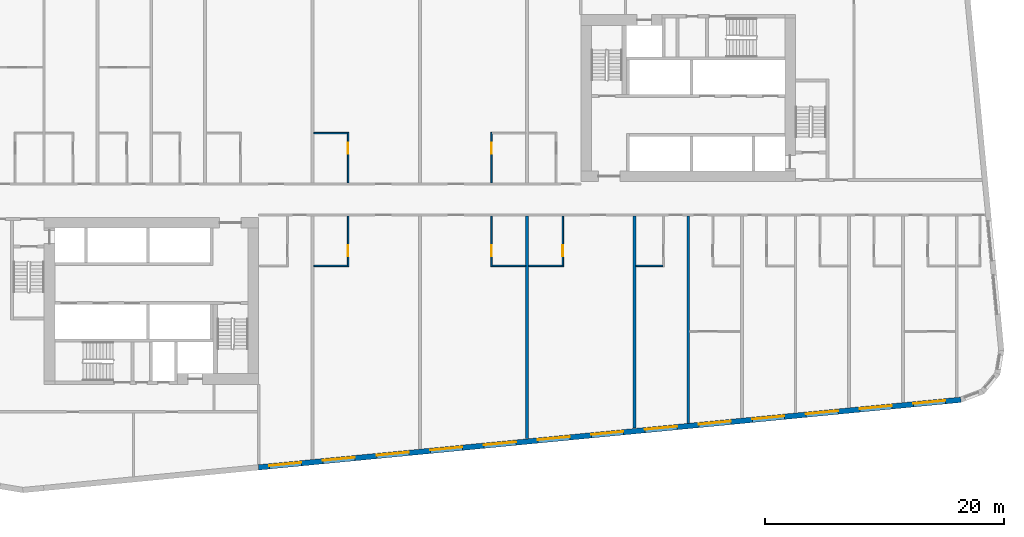
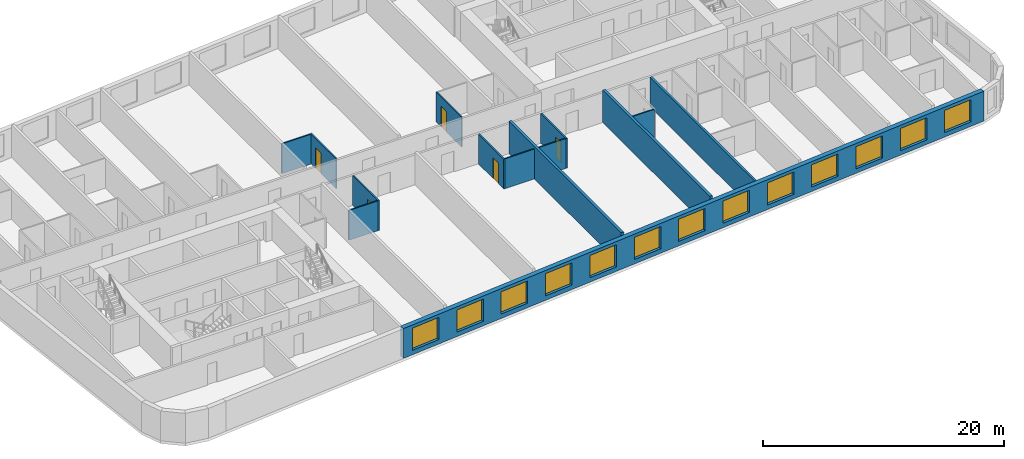
# One storey, part 4 of 12: 14 walls, 13 windows, 5 doors, 18 openings.
"""IFC4 building model written with IfcOpenShell, lengths in metres."""

from ifc_helpers import new_model, si_unit, direction, frame, frame_2d, origin, place, context, subcontext, project, spatial, rectangle, extrude, material, layer, layer_set, type_object, element, fill, save


model = new_model("IFC4")

# Units and contexts
model_context = context("Model", 3, precision=1e-05, world=origin(), true_north=direction((0.0, 1.0)))
body_context = subcontext(model_context, "Body", "Model", "MODEL_VIEW")
ifc_project = project(units=[si_unit("LENGTHUNIT", "METRE"), si_unit("AREAUNIT", "SQUARE_METRE"), si_unit("VOLUMEUNIT", "CUBIC_METRE"), si_unit("PLANEANGLEUNIT", "RADIAN"), si_unit("MASSUNIT", "GRAM", prefix="KILO")], contexts=[model_context])

# Site, building, storey
site_placement = place(None, origin())
site = spatial("IfcSite", under=ifc_project, at=site_placement, CompositionType="ELEMENT")
building_placement = place(site_placement, origin())
building = spatial("IfcBuilding", under=site, at=building_placement, Name="Kajstack Hotel Tower", CompositionType="ELEMENT")
storey_placement = place(building_placement, frame((0.0, 0.0, 124.0)))
storey = spatial("IfcBuildingStorey", under=building, at=storey_placement, Name="L27", CompositionType="ELEMENT", Elevation=124.0)

# Wall
ifc_material_1 = material(Name="Twin-frame gypsum board on steel studs, mineral wool", Category="steel")
ifc_layer_1 = layer(ifc_material_1, 0.199951171875)
ifc_layer_set_1 = layer_set([ifc_layer_1], Name="Demising wall 200")
wall_type_1 = type_object("IfcWallType", Name="Demising wall 200", PredefinedType="PARTITIONING", material=ifc_layer_set_1)
wall_1_placement = place(storey_placement, frame((22.5, -18.76611328125, 0.0), z_axis=(0.0, 0.0, 1.0), x_axis=(0.0, 1.0, 0.0)))
element("IfcWall", 1, at=wall_1_placement, inside=storey, type_object=wall_type_1, Name="G-wall-L27-035", PredefinedType="PARTITIONING", context=body_context, shape_type="SweptSolid", body=[
    extrude(rectangle(XDim=17.3662109375, YDim=0.199951171875, at=frame_2d((8.68310546875, 0.0))), origin(), (0.0, 0.0, 1.0), 3.02001953125),
])

# Wall, openings, windows
ifc_material_2 = material(Name="Terracotta-faced brick masonry", Category="masonry")
ifc_layer_2 = layer(ifc_material_2, 0.449951171875)
ifc_layer_set_2 = layer_set([ifc_layer_2], Name="EW-TERRA")
wall_type_2 = type_object("IfcWallType", Name="EW-TERRA", PredefinedType="SOLIDWALL", material=ifc_layer_set_2)
wall_2_placement = place(storey_placement, frame((-13.521484375, -22.46044921875, 0.0), z_axis=(0.0, 0.0, 1.0), x_axis=(0.995396096335, 0.095846812164, 0.0)))
wall_2 = element("IfcWall", 2, at=wall_2_placement, inside=storey, type_object=wall_type_2, Name="E-wall-L27-04-02", PredefinedType="SOLIDWALL", context=body_context, shape_type="SweptSolid", body=[
    extrude(rectangle(XDim=59.15087890625, YDim=0.449951171875, at=frame_2d((29.575439453125, 0.0))), origin(), (0.0, 0.0, 1.0), 3.02001953125),
])
opening_1_placement = place(wall_2_placement, frame((0.910400390625, 0.0, 0.449951171875)))
opening_1 = element("IfcOpeningElement", 3, at=opening_1_placement, cuts=wall_2, Name="Opening W1", PredefinedType="OPENING", context=body_context, shape_type="SweptSolid", body=[
    extrude(rectangle(XDim=2.699951171875, YDim=2.25, at=frame_2d((1.35009765625, 1.125))), frame((0.0, 0.23486328125, 0.0), z_axis=(0.0, -1.0, 0.0), x_axis=(1.0, 0.0, 0.0)), (0.0, 0.0, 1.0), 0.469970703125),
])
opening_2_placement = place(wall_2_placement, frame((5.43115234375, 0.0, 0.449951171875)))
opening_2 = element("IfcOpeningElement", 4, at=opening_2_placement, cuts=wall_2, Name="Opening W1", PredefinedType="OPENING", context=body_context, shape_type="SweptSolid", body=[
    extrude(rectangle(XDim=2.699951171875, YDim=2.25, at=frame_2d((1.35009765625, 1.125))), frame((0.0, 0.23486328125, 0.0), z_axis=(0.0, -1.0, 0.0), x_axis=(1.0, 0.0, 0.0)), (0.0, 0.0, 1.0), 0.469970703125),
])
opening_3_placement = place(wall_2_placement, frame((9.951904296875, 0.0, 0.449951171875)))
opening_3 = element("IfcOpeningElement", 5, at=opening_3_placement, cuts=wall_2, Name="Opening W1", PredefinedType="OPENING", context=body_context, shape_type="SweptSolid", body=[
    extrude(rectangle(XDim=2.699951171875, YDim=2.25, at=frame_2d((1.35009765625, 1.125))), frame((0.0, 0.23486328125, 0.0), z_axis=(0.0, -1.0, 0.0), x_axis=(1.0, 0.0, 0.0)), (0.0, 0.0, 1.0), 0.469970703125),
])
opening_4_placement = place(wall_2_placement, frame((14.472900390625, 0.0, 0.449951171875)))
opening_4 = element("IfcOpeningElement", 6, at=opening_4_placement, cuts=wall_2, Name="Opening W1", PredefinedType="OPENING", context=body_context, shape_type="SweptSolid", body=[
    extrude(rectangle(XDim=2.699951171875, YDim=2.25, at=frame_2d((1.35009765625, 1.125))), frame((0.0, 0.23486328125, 0.0), z_axis=(0.0, -1.0, 0.0), x_axis=(1.0, 0.0, 0.0)), (0.0, 0.0, 1.0), 0.469970703125),
])
opening_5_placement = place(wall_2_placement, frame((18.99365234375, 0.0, 0.449951171875)))
opening_5 = element("IfcOpeningElement", 7, at=opening_5_placement, cuts=wall_2, Name="Opening W1", PredefinedType="OPENING", context=body_context, shape_type="SweptSolid", body=[
    extrude(rectangle(XDim=2.699951171875, YDim=2.25, at=frame_2d((1.35009765625, 1.125))), frame((0.0, 0.23486328125, 0.0), z_axis=(0.0, -1.0, 0.0), x_axis=(1.0, 0.0, 0.0)), (0.0, 0.0, 1.0), 0.469970703125),
])
opening_6_placement = place(wall_2_placement, frame((23.514404296875, 0.0, 0.449951171875)))
opening_6 = element("IfcOpeningElement", 8, at=opening_6_placement, cuts=wall_2, Name="Opening W1", PredefinedType="OPENING", context=body_context, shape_type="SweptSolid", body=[
    extrude(rectangle(XDim=2.699951171875, YDim=2.25, at=frame_2d((1.35009765625, 1.125))), frame((0.0, 0.23486328125, 0.0), z_axis=(0.0, -1.0, 0.0), x_axis=(1.0, 0.0, 0.0)), (0.0, 0.0, 1.0), 0.469970703125),
])
opening_7_placement = place(wall_2_placement, frame((28.035400390625, 0.0, 0.449951171875)))
opening_7 = element("IfcOpeningElement", 9, at=opening_7_placement, cuts=wall_2, Name="Opening W1", PredefinedType="OPENING", context=body_context, shape_type="SweptSolid", body=[
    extrude(rectangle(XDim=2.699951171875, YDim=2.25, at=frame_2d((1.35009765625, 1.125))), frame((0.0, 0.23486328125, 0.0), z_axis=(0.0, -1.0, 0.0), x_axis=(1.0, 0.0, 0.0)), (0.0, 0.0, 1.0), 0.469970703125),
])
opening_8_placement = place(wall_2_placement, frame((32.55615234375, 0.0, 0.449951171875)))
opening_8 = element("IfcOpeningElement", 10, at=opening_8_placement, cuts=wall_2, Name="Opening W1", PredefinedType="OPENING", context=body_context, shape_type="SweptSolid", body=[
    extrude(rectangle(XDim=2.699951171875, YDim=2.25, at=frame_2d((1.35009765625, 1.125))), frame((0.0, 0.23486328125, 0.0), z_axis=(0.0, -1.0, 0.0), x_axis=(1.0, 0.0, 0.0)), (0.0, 0.0, 1.0), 0.469970703125),
])
opening_9_placement = place(wall_2_placement, frame((37.076904296875, 0.0, 0.449951171875)))
opening_9 = element("IfcOpeningElement", 11, at=opening_9_placement, cuts=wall_2, Name="Opening W1", PredefinedType="OPENING", context=body_context, shape_type="SweptSolid", body=[
    extrude(rectangle(XDim=2.699951171875, YDim=2.25, at=frame_2d((1.35009765625, 1.125))), frame((0.0, 0.23486328125, 0.0), z_axis=(0.0, -1.0, 0.0), x_axis=(1.0, 0.0, 0.0)), (0.0, 0.0, 1.0), 0.469970703125),
])
opening_10_placement = place(wall_2_placement, frame((41.59765625, 0.0, 0.449951171875)))
opening_10 = element("IfcOpeningElement", 12, at=opening_10_placement, cuts=wall_2, Name="Opening W1", PredefinedType="OPENING", context=body_context, shape_type="SweptSolid", body=[
    extrude(rectangle(XDim=2.699951171875, YDim=2.25, at=frame_2d((1.35009765625, 1.125))), frame((0.0, 0.23486328125, 0.0), z_axis=(0.0, -1.0, 0.0), x_axis=(1.0, 0.0, 0.0)), (0.0, 0.0, 1.0), 0.469970703125),
])
opening_11_placement = place(wall_2_placement, frame((46.118408203125, 0.0, 0.449951171875)))
opening_11 = element("IfcOpeningElement", 13, at=opening_11_placement, cuts=wall_2, Name="Opening W1", PredefinedType="OPENING", context=body_context, shape_type="SweptSolid", body=[
    extrude(rectangle(XDim=2.699951171875, YDim=2.25, at=frame_2d((1.35009765625, 1.125))), frame((0.0, 0.23486328125, 0.0), z_axis=(0.0, -1.0, 0.0), x_axis=(1.0, 0.0, 0.0)), (0.0, 0.0, 1.0), 0.469970703125),
])
opening_12_placement = place(wall_2_placement, frame((50.639404296875, 0.0, 0.449951171875)))
opening_12 = element("IfcOpeningElement", 14, at=opening_12_placement, cuts=wall_2, Name="Opening W1", PredefinedType="OPENING", context=body_context, shape_type="SweptSolid", body=[
    extrude(rectangle(XDim=2.699951171875, YDim=2.25, at=frame_2d((1.35009765625, 1.125))), frame((0.0, 0.23486328125, 0.0), z_axis=(0.0, -1.0, 0.0), x_axis=(1.0, 0.0, 0.0)), (0.0, 0.0, 1.0), 0.469970703125),
])
opening_13_placement = place(wall_2_placement, frame((55.149658203125, 0.0, 0.449951171875)))
opening_13 = element("IfcOpeningElement", 15, at=opening_13_placement, cuts=wall_2, Name="Opening W1", PredefinedType="OPENING", context=body_context, shape_type="SweptSolid", body=[
    extrude(rectangle(XDim=2.699951171875, YDim=2.25, at=frame_2d((1.35009765625, 1.125))), frame((0.0, 0.23486328125, 0.0), z_axis=(0.0, -1.0, 0.0), x_axis=(1.0, 0.0, 0.0)), (0.0, 0.0, 1.0), 0.469970703125),
])
ifc_material_3 = material(Name="Timber-aluminium window, triple glazed", Category="wood")
window_type = type_object("IfcWindowType", Name="WG1", PartitioningType="SINGLE_PANEL", PredefinedType="WINDOW", material=ifc_material_3)
window_1_placement = place(opening_1_placement, origin())
window_1 = element("IfcWindow", 16, at=window_1_placement, inside=storey, type_object=window_type, Name="Window W1 L27-04", OverallHeight=2.25, OverallWidth=2.699951171875, PartitioningType="SINGLE_PANEL", PredefinedType="WINDOW", context=body_context, shape_type="SweptSolid", body=[
    extrude(rectangle(XDim=2.699951171875, YDim=2.25, at=frame_2d((1.35009765625, 1.125))), frame((0.0, 0.090087890625, 0.0), z_axis=(0.0, -1.0, 0.0), x_axis=(1.0, 0.0, 0.0)), (0.0, 0.0, 1.0), 0.06005859375),
])
fill(opening_1, window_1)
window_2_placement = place(opening_2_placement, origin())
window_2 = element("IfcWindow", 17, at=window_2_placement, inside=storey, type_object=window_type, Name="Window W1 L27-04", OverallHeight=2.25, OverallWidth=2.699951171875, PartitioningType="SINGLE_PANEL", PredefinedType="WINDOW", context=body_context, shape_type="SweptSolid", body=[
    extrude(rectangle(XDim=2.699951171875, YDim=2.25, at=frame_2d((1.35009765625, 1.125))), frame((0.0, 0.090087890625, 0.0), z_axis=(0.0, -1.0, 0.0), x_axis=(1.0, 0.0, 0.0)), (0.0, 0.0, 1.0), 0.06005859375),
])
fill(opening_2, window_2)
window_3_placement = place(opening_3_placement, origin())
window_3 = element("IfcWindow", 18, at=window_3_placement, inside=storey, type_object=window_type, Name="Window W1 L27-04", OverallHeight=2.25, OverallWidth=2.699951171875, PartitioningType="SINGLE_PANEL", PredefinedType="WINDOW", context=body_context, shape_type="SweptSolid", body=[
    extrude(rectangle(XDim=2.699951171875, YDim=2.25, at=frame_2d((1.35009765625, 1.125))), frame((0.0, 0.090087890625, 0.0), z_axis=(0.0, -1.0, 0.0), x_axis=(1.0, 0.0, 0.0)), (0.0, 0.0, 1.0), 0.06005859375),
])
fill(opening_3, window_3)
window_4_placement = place(opening_4_placement, origin())
window_4 = element("IfcWindow", 19, at=window_4_placement, inside=storey, type_object=window_type, Name="Window W1 L27-04", OverallHeight=2.25, OverallWidth=2.699951171875, PartitioningType="SINGLE_PANEL", PredefinedType="WINDOW", context=body_context, shape_type="SweptSolid", body=[
    extrude(rectangle(XDim=2.699951171875, YDim=2.25, at=frame_2d((1.35009765625, 1.125))), frame((0.0, 0.090087890625, 0.0), z_axis=(0.0, -1.0, 0.0), x_axis=(1.0, 0.0, 0.0)), (0.0, 0.0, 1.0), 0.06005859375),
])
fill(opening_4, window_4)
window_5_placement = place(opening_5_placement, origin())
window_5 = element("IfcWindow", 20, at=window_5_placement, inside=storey, type_object=window_type, Name="Window W1 L27-04", OverallHeight=2.25, OverallWidth=2.699951171875, PartitioningType="SINGLE_PANEL", PredefinedType="WINDOW", context=body_context, shape_type="SweptSolid", body=[
    extrude(rectangle(XDim=2.699951171875, YDim=2.25, at=frame_2d((1.35009765625, 1.125))), frame((0.0, 0.090087890625, 0.0), z_axis=(0.0, -1.0, 0.0), x_axis=(1.0, 0.0, 0.0)), (0.0, 0.0, 1.0), 0.06005859375),
])
fill(opening_5, window_5)
window_6_placement = place(opening_6_placement, origin())
window_6 = element("IfcWindow", 21, at=window_6_placement, inside=storey, type_object=window_type, Name="Window W1 L27-04", OverallHeight=2.25, OverallWidth=2.699951171875, PartitioningType="SINGLE_PANEL", PredefinedType="WINDOW", context=body_context, shape_type="SweptSolid", body=[
    extrude(rectangle(XDim=2.699951171875, YDim=2.25, at=frame_2d((1.35009765625, 1.125))), frame((0.0, 0.090087890625, 0.0), z_axis=(0.0, -1.0, 0.0), x_axis=(1.0, 0.0, 0.0)), (0.0, 0.0, 1.0), 0.06005859375),
])
fill(opening_6, window_6)
window_7_placement = place(opening_7_placement, origin())
window_7 = element("IfcWindow", 22, at=window_7_placement, inside=storey, type_object=window_type, Name="Window W1 L27-04", OverallHeight=2.25, OverallWidth=2.699951171875, PartitioningType="SINGLE_PANEL", PredefinedType="WINDOW", context=body_context, shape_type="SweptSolid", body=[
    extrude(rectangle(XDim=2.699951171875, YDim=2.25, at=frame_2d((1.35009765625, 1.125))), frame((0.0, 0.090087890625, 0.0), z_axis=(0.0, -1.0, 0.0), x_axis=(1.0, 0.0, 0.0)), (0.0, 0.0, 1.0), 0.06005859375),
])
fill(opening_7, window_7)
window_8_placement = place(opening_8_placement, origin())
window_8 = element("IfcWindow", 23, at=window_8_placement, inside=storey, type_object=window_type, Name="Window W1 L27-04", OverallHeight=2.25, OverallWidth=2.699951171875, PartitioningType="SINGLE_PANEL", PredefinedType="WINDOW", context=body_context, shape_type="SweptSolid", body=[
    extrude(rectangle(XDim=2.699951171875, YDim=2.25, at=frame_2d((1.35009765625, 1.125))), frame((0.0, 0.090087890625, 0.0), z_axis=(0.0, -1.0, 0.0), x_axis=(1.0, 0.0, 0.0)), (0.0, 0.0, 1.0), 0.06005859375),
])
fill(opening_8, window_8)
window_9_placement = place(opening_9_placement, origin())
window_9 = element("IfcWindow", 24, at=window_9_placement, inside=storey, type_object=window_type, Name="Window W1 L27-04", OverallHeight=2.25, OverallWidth=2.699951171875, PartitioningType="SINGLE_PANEL", PredefinedType="WINDOW", context=body_context, shape_type="SweptSolid", body=[
    extrude(rectangle(XDim=2.699951171875, YDim=2.25, at=frame_2d((1.35009765625, 1.125))), frame((0.0, 0.090087890625, 0.0), z_axis=(0.0, -1.0, 0.0), x_axis=(1.0, 0.0, 0.0)), (0.0, 0.0, 1.0), 0.06005859375),
])
fill(opening_9, window_9)
window_10_placement = place(opening_10_placement, origin())
window_10 = element("IfcWindow", 25, at=window_10_placement, inside=storey, type_object=window_type, Name="Window W1 L27-04", OverallHeight=2.25, OverallWidth=2.699951171875, PartitioningType="SINGLE_PANEL", PredefinedType="WINDOW", context=body_context, shape_type="SweptSolid", body=[
    extrude(rectangle(XDim=2.699951171875, YDim=2.25, at=frame_2d((1.35009765625, 1.125))), frame((0.0, 0.090087890625, 0.0), z_axis=(0.0, -1.0, 0.0), x_axis=(1.0, 0.0, 0.0)), (0.0, 0.0, 1.0), 0.06005859375),
])
fill(opening_10, window_10)
window_11_placement = place(opening_11_placement, origin())
window_11 = element("IfcWindow", 26, at=window_11_placement, inside=storey, type_object=window_type, Name="Window W1 L27-04", OverallHeight=2.25, OverallWidth=2.699951171875, PartitioningType="SINGLE_PANEL", PredefinedType="WINDOW", context=body_context, shape_type="SweptSolid", body=[
    extrude(rectangle(XDim=2.699951171875, YDim=2.25, at=frame_2d((1.35009765625, 1.125))), frame((0.0, 0.090087890625, 0.0), z_axis=(0.0, -1.0, 0.0), x_axis=(1.0, 0.0, 0.0)), (0.0, 0.0, 1.0), 0.06005859375),
])
fill(opening_11, window_11)
window_12_placement = place(opening_12_placement, origin())
window_12 = element("IfcWindow", 27, at=window_12_placement, inside=storey, type_object=window_type, Name="Window W1 L27-04", OverallHeight=2.25, OverallWidth=2.699951171875, PartitioningType="SINGLE_PANEL", PredefinedType="WINDOW", context=body_context, shape_type="SweptSolid", body=[
    extrude(rectangle(XDim=2.699951171875, YDim=2.25, at=frame_2d((1.35009765625, 1.125))), frame((0.0, 0.090087890625, 0.0), z_axis=(0.0, -1.0, 0.0), x_axis=(1.0, 0.0, 0.0)), (0.0, 0.0, 1.0), 0.06005859375),
])
fill(opening_12, window_12)
window_13_placement = place(opening_13_placement, origin())
window_13 = element("IfcWindow", 28, at=window_13_placement, inside=storey, type_object=window_type, Name="Window W1 L27-04", OverallHeight=2.25, OverallWidth=2.699951171875, PartitioningType="SINGLE_PANEL", PredefinedType="WINDOW", context=body_context, shape_type="SweptSolid", body=[
    extrude(rectangle(XDim=2.699951171875, YDim=2.25, at=frame_2d((1.35009765625, 1.125))), frame((0.0, 0.090087890625, 0.0), z_axis=(0.0, -1.0, 0.0), x_axis=(1.0, 0.0, 0.0)), (0.0, 0.0, 1.0), 0.06005859375),
])
fill(opening_13, window_13)

# Wall, opening, door
ifc_material_4 = material(Name="Gypsum board and tiled backer on steel studs", Category="steel")
ifc_layer_3 = layer(ifc_material_4, 0.125)
ifc_layer_set_3 = layer_set([ifc_layer_3], Name="En-suite wall 125")
wall_type_3 = type_object("IfcWallType", Name="En-suite wall 125", PredefinedType="PARTITIONING", material=ifc_layer_set_3)
wall_3_placement = place(storey_placement, frame((-6.012939453125, 1.39990234375, 0.0), z_axis=(0.0, 0.0, 1.0), x_axis=(0.0, 1.0, 0.0)))
wall_3 = element("IfcWall", 29, at=wall_3_placement, inside=storey, type_object=wall_type_3, Name="G-wall-L27-020", PredefinedType="PARTITIONING", context=body_context, shape_type="SweptSolid", body=[
    extrude(rectangle(XDim=4.22509765625, YDim=0.125, at=frame_2d((2.112548828125, 0.0))), origin(), (0.0, 0.0, 1.0), 3.02001953125),
])
opening_14_placement = place(wall_3_placement, frame((2.449951171875, 0.0, 0.0)))
opening_14 = element("IfcOpeningElement", 30, at=opening_14_placement, cuts=wall_3, Name="Opening 27016", PredefinedType="OPENING", context=body_context, shape_type="SweptSolid", body=[
    extrude(rectangle(XDim=0.89990234375, YDim=2.10009765625, at=frame_2d((0.449951171875, 1.050048828125))), frame((0.0, 0.072509765625, 0.0), z_axis=(0.0, -1.0, 0.0), x_axis=(1.0, 0.0, 0.0)), (0.0, 0.0, 1.0), 0.14501953125),
])
ifc_material_5 = material(Name="Painted timber door leaf", Category="wood")
door_type = type_object("IfcDoorType", Name="Room door 900", OperationType="SINGLE_SWING_LEFT", PredefinedType="DOOR", material=ifc_material_5)
door_1_placement = place(opening_14_placement, origin())
door_1 = element("IfcDoor", 31, at=door_1_placement, inside=storey, type_object=door_type, Name="G-door-L27-16", OperationType="SINGLE_SWING_RIGHT", OverallHeight=2.10009765625, OverallWidth=0.89990234375, PredefinedType="DOOR", context=body_context, shape_type="SweptSolid", body=[
    extrude(rectangle(XDim=0.89990234375, YDim=2.10009765625, at=frame_2d((0.449951171875, 1.050048828125))), frame((0.0, 0.02490234375, 0.0), z_axis=(0.0, -1.0, 0.0), x_axis=(1.0, 0.0, 0.0)), (0.0, 0.0, 1.0), 0.050048828125),
])
fill(opening_14, door_1)

# Wall
wall_4_placement = place(storey_placement, frame((-8.875, 5.56201171875, 0.0), z_axis=(0.0, 0.0, 1.0), x_axis=(1.0, 0.0, 0.0)))
element("IfcWall", 32, at=wall_4_placement, inside=storey, type_object=wall_type_3, Name="G-wall-L27-021", PredefinedType="PARTITIONING", context=body_context, shape_type="SweptSolid", body=[
    extrude(rectangle(XDim=2.800048828125, YDim=0.125, at=frame_2d((1.39990234375, 0.0))), origin(), (0.0, 0.0, 1.0), 3.02001953125),
])

# Wall, opening, door
wall_5_placement = place(storey_placement, frame((6.012939453125, 1.39990234375, 0.0), z_axis=(0.0, 0.0, 1.0), x_axis=(0.0, 1.0, 0.0)))
wall_5 = element("IfcWall", 33, at=wall_5_placement, inside=storey, type_object=wall_type_3, Name="G-wall-L27-022", PredefinedType="PARTITIONING", context=body_context, shape_type="SweptSolid", body=[
    extrude(rectangle(XDim=4.22509765625, YDim=0.125, at=frame_2d((2.112548828125, 0.0))), origin(), (0.0, 0.0, 1.0), 3.02001953125),
])
opening_15_placement = place(wall_5_placement, frame((2.449951171875, 0.0, 0.0)))
opening_15 = element("IfcOpeningElement", 34, at=opening_15_placement, cuts=wall_5, Name="Opening 27018", PredefinedType="OPENING", context=body_context, shape_type="SweptSolid", body=[
    extrude(rectangle(XDim=0.89990234375, YDim=2.10009765625, at=frame_2d((0.449951171875, 1.050048828125))), frame((0.0, 0.072509765625, 0.0), z_axis=(0.0, -1.0, 0.0), x_axis=(1.0, 0.0, 0.0)), (0.0, 0.0, 1.0), 0.14501953125),
])
door_2_placement = place(opening_15_placement, origin())
door_2 = element("IfcDoor", 35, at=door_2_placement, inside=storey, type_object=door_type, Name="G-door-L27-18", OperationType="SINGLE_SWING_LEFT", OverallHeight=2.10009765625, OverallWidth=0.89990234375, PredefinedType="DOOR", context=body_context, shape_type="SweptSolid", body=[
    extrude(rectangle(XDim=0.89990234375, YDim=2.10009765625, at=frame_2d((0.449951171875, 1.050048828125))), frame((0.0, 0.02490234375, 0.0), z_axis=(0.0, -1.0, 0.0), x_axis=(1.0, 0.0, 0.0)), (0.0, 0.0, 1.0), 0.050048828125),
])
fill(opening_15, door_2)

wall_6_placement = place(storey_placement, frame((-6.012939453125, -5.625, 0.0), z_axis=(0.0, 0.0, 1.0), x_axis=(0.0, 1.0, 0.0)))
wall_6 = element("IfcWall", 36, at=wall_6_placement, inside=storey, type_object=wall_type_3, Name="G-wall-L27-029", PredefinedType="PARTITIONING", context=body_context, shape_type="SweptSolid", body=[
    extrude(rectangle(XDim=4.22509765625, YDim=0.125, at=frame_2d((2.112548828125, 0.0))), origin(), (0.0, 0.0, 1.0), 3.02001953125),
])
opening_16_placement = place(wall_6_placement, frame((0.875, 0.0, 0.0)))
opening_16 = element("IfcOpeningElement", 37, at=opening_16_placement, cuts=wall_6, Name="Opening 27024", PredefinedType="OPENING", context=body_context, shape_type="SweptSolid", body=[
    extrude(rectangle(XDim=0.89990234375, YDim=2.10009765625, at=frame_2d((0.449951171875, 1.050048828125))), frame((0.0, 0.072509765625, 0.0), z_axis=(0.0, -1.0, 0.0), x_axis=(1.0, 0.0, 0.0)), (0.0, 0.0, 1.0), 0.14501953125),
])
door_3_placement = place(opening_16_placement, origin())
door_3 = element("IfcDoor", 38, at=door_3_placement, inside=storey, type_object=door_type, Name="G-door-L27-24", OperationType="SINGLE_SWING_LEFT", OverallHeight=2.10009765625, OverallWidth=0.89990234375, PredefinedType="DOOR", context=body_context, shape_type="SweptSolid", body=[
    extrude(rectangle(XDim=0.89990234375, YDim=2.10009765625, at=frame_2d((0.449951171875, 1.050048828125))), frame((0.0, 0.02490234375, 0.0), z_axis=(0.0, -1.0, 0.0), x_axis=(1.0, 0.0, 0.0)), (0.0, 0.0, 1.0), 0.050048828125),
])
fill(opening_16, door_3)

# Wall
wall_7_placement = place(storey_placement, frame((-8.875, -5.56201171875, 0.0), z_axis=(0.0, 0.0, 1.0), x_axis=(1.0, 0.0, 0.0)))
element("IfcWall", 39, at=wall_7_placement, inside=storey, type_object=wall_type_3, Name="G-wall-L27-030", PredefinedType="PARTITIONING", context=body_context, shape_type="SweptSolid", body=[
    extrude(rectangle(XDim=2.800048828125, YDim=0.125, at=frame_2d((1.39990234375, 0.0))), origin(), (0.0, 0.0, 1.0), 3.02001953125),
])

# Wall, opening, door
wall_8_placement = place(storey_placement, frame((6.012939453125, -5.625, 0.0), z_axis=(0.0, 0.0, 1.0), x_axis=(0.0, 1.0, 0.0)))
wall_8 = element("IfcWall", 40, at=wall_8_placement, inside=storey, type_object=wall_type_3, Name="G-wall-L27-031", PredefinedType="PARTITIONING", context=body_context, shape_type="SweptSolid", body=[
    extrude(rectangle(XDim=4.22509765625, YDim=0.125, at=frame_2d((2.112548828125, 0.0))), origin(), (0.0, 0.0, 1.0), 3.02001953125),
])
opening_17_placement = place(wall_8_placement, frame((0.875, 0.0, 0.0)))
opening_17 = element("IfcOpeningElement", 41, at=opening_17_placement, cuts=wall_8, Name="Opening 27026", PredefinedType="OPENING", context=body_context, shape_type="SweptSolid", body=[
    extrude(rectangle(XDim=0.89990234375, YDim=2.10009765625, at=frame_2d((0.449951171875, 1.050048828125))), frame((0.0, 0.072509765625, 0.0), z_axis=(0.0, -1.0, 0.0), x_axis=(1.0, 0.0, 0.0)), (0.0, 0.0, 1.0), 0.14501953125),
])
door_4_placement = place(opening_17_placement, origin())
door_4 = element("IfcDoor", 42, at=door_4_placement, inside=storey, type_object=door_type, Name="G-door-L27-26", OperationType="SINGLE_SWING_RIGHT", OverallHeight=2.10009765625, OverallWidth=0.89990234375, PredefinedType="DOOR", context=body_context, shape_type="SweptSolid", body=[
    extrude(rectangle(XDim=0.89990234375, YDim=2.10009765625, at=frame_2d((0.449951171875, 1.050048828125))), frame((0.0, 0.02490234375, 0.0), z_axis=(0.0, -1.0, 0.0), x_axis=(1.0, 0.0, 0.0)), (0.0, 0.0, 1.0), 0.050048828125),
])
fill(opening_17, door_4)

# Wall
wall_9_placement = place(storey_placement, frame((6.074951171875, -5.56201171875, 0.0), z_axis=(0.0, 0.0, 1.0), x_axis=(1.0, 0.0, 0.0)))
element("IfcWall", 43, at=wall_9_placement, inside=storey, type_object=wall_type_3, Name="G-wall-L27-032", PredefinedType="PARTITIONING", context=body_context, shape_type="SweptSolid", body=[
    extrude(rectangle(XDim=2.800048828125, YDim=0.125, at=frame_2d((1.39990234375, 0.0))), origin(), (0.0, 0.0, 1.0), 3.02001953125),
])

# Wall, opening, door
wall_10_placement = place(storey_placement, frame((11.988037109375, -5.625, 0.0), z_axis=(0.0, 0.0, 1.0), x_axis=(0.0, 1.0, 0.0)))
wall_10 = element("IfcWall", 44, at=wall_10_placement, inside=storey, type_object=wall_type_3, Name="G-wall-L27-033", PredefinedType="PARTITIONING", context=body_context, shape_type="SweptSolid", body=[
    extrude(rectangle(XDim=4.22509765625, YDim=0.125, at=frame_2d((2.112548828125, 0.0))), origin(), (0.0, 0.0, 1.0), 3.02001953125),
])
opening_18_placement = place(wall_10_placement, frame((0.875, 0.0, 0.0)))
opening_18 = element("IfcOpeningElement", 45, at=opening_18_placement, cuts=wall_10, Name="Opening 27028", PredefinedType="OPENING", context=body_context, shape_type="SweptSolid", body=[
    extrude(rectangle(XDim=0.89990234375, YDim=2.10009765625, at=frame_2d((0.449951171875, 1.050048828125))), frame((0.0, 0.072509765625, 0.0), z_axis=(0.0, -1.0, 0.0), x_axis=(1.0, 0.0, 0.0)), (0.0, 0.0, 1.0), 0.14501953125),
])
door_5_placement = place(opening_18_placement, origin())
door_5 = element("IfcDoor", 46, at=door_5_placement, inside=storey, type_object=door_type, Name="G-door-L27-28", OperationType="SINGLE_SWING_LEFT", OverallHeight=2.10009765625, OverallWidth=0.89990234375, PredefinedType="DOOR", context=body_context, shape_type="SweptSolid", body=[
    extrude(rectangle(XDim=0.89990234375, YDim=2.10009765625, at=frame_2d((0.449951171875, 1.050048828125))), frame((0.0, 0.02490234375, 0.0), z_axis=(0.0, -1.0, 0.0), x_axis=(1.0, 0.0, 0.0)), (0.0, 0.0, 1.0), 0.050048828125),
])
fill(opening_18, door_5)

# Walls
wall_11_placement = place(storey_placement, frame((9.125, -5.56201171875, 0.0), z_axis=(0.0, 0.0, 1.0), x_axis=(1.0, 0.0, 0.0)))
element("IfcWall", 47, at=wall_11_placement, inside=storey, type_object=wall_type_3, Name="G-wall-L27-034", PredefinedType="PARTITIONING", context=body_context, shape_type="SweptSolid", body=[
    extrude(rectangle(XDim=2.800048828125, YDim=0.125, at=frame_2d((1.39990234375, 0.0))), origin(), (0.0, 0.0, 1.0), 3.02001953125),
])
wall_12_placement = place(storey_placement, frame((18.125, -5.56201171875, 0.0), z_axis=(0.0, 0.0, 1.0), x_axis=(1.0, 0.0, 0.0)))
element("IfcWall", 48, at=wall_12_placement, inside=storey, type_object=wall_type_3, Name="G-wall-L27-037", PredefinedType="PARTITIONING", context=body_context, shape_type="SweptSolid", body=[
    extrude(rectangle(XDim=2.25, YDim=0.125, at=frame_2d((1.125, 0.0))), origin(), (0.0, 0.0, 1.0), 3.02001953125),
])
ifc_material_6 = material(Name="Concrete C55/67", Category="concrete")
ifc_layer_4 = layer(ifc_material_6, 0.25)
ifc_layer_set_4 = layer_set([ifc_layer_4], Name="RC cross wall 250 C55/67")
wall_type_4 = type_object("IfcWallType", Name="RC cross wall 250 C55/67", PredefinedType="SHEAR", material=ifc_layer_set_4)
wall_13_placement = place(storey_placement, frame((9.0, -20.043701171875, 0.0), z_axis=(0.0, 0.0, 1.0), x_axis=(0.0, 1.0, 0.0)))
element("IfcWall", 49, at=wall_13_placement, inside=storey, type_object=wall_type_4, Name="S-wall-L27-08", PredefinedType="SHEAR", context=body_context, shape_type="SweptSolid", body=[
    extrude(rectangle(XDim=18.643798828125, YDim=0.25, at=frame_2d((9.32177734375, 0.0))), origin(), (0.0, 0.0, 1.0), 3.300048828125),
])
wall_14_placement = place(storey_placement, frame((18.0, -19.17724609375, 0.0), z_axis=(0.0, 0.0, 1.0), x_axis=(0.0, 1.0, 0.0)))
element("IfcWall", 50, at=wall_14_placement, inside=storey, type_object=wall_type_4, Name="S-wall-L27-10", PredefinedType="SHEAR", context=body_context, shape_type="SweptSolid", body=[
    extrude(rectangle(XDim=17.77734375, YDim=0.25, at=frame_2d((8.888671875, 0.0))), origin(), (0.0, 0.0, 1.0), 3.300048828125),
])

save(model, "model.ifc")
